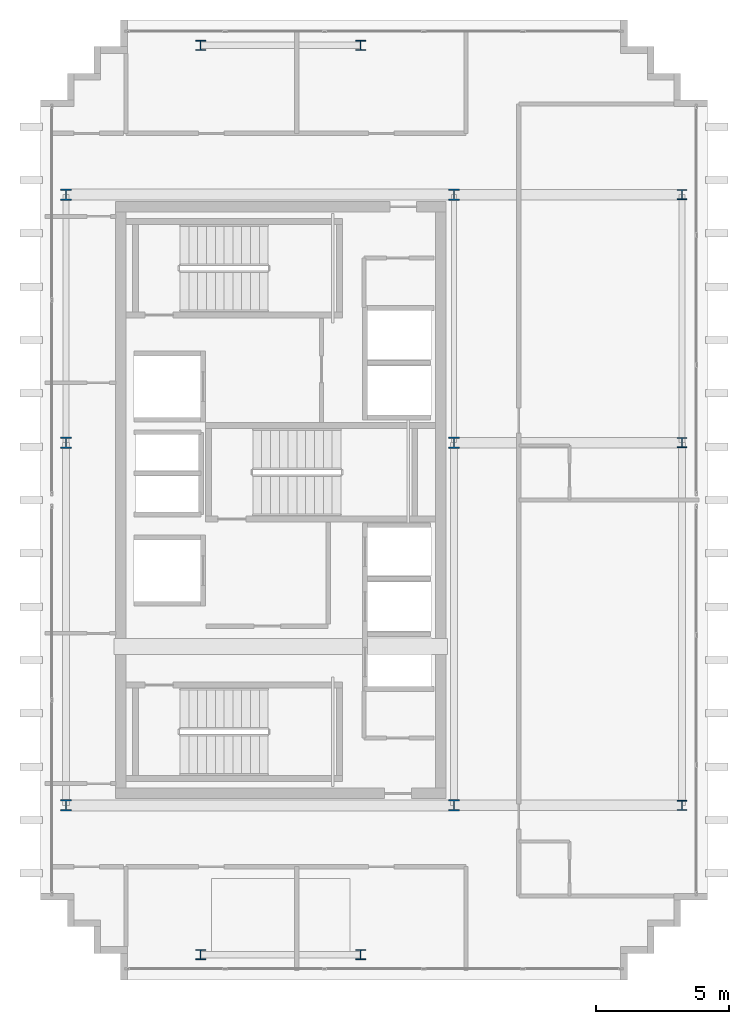
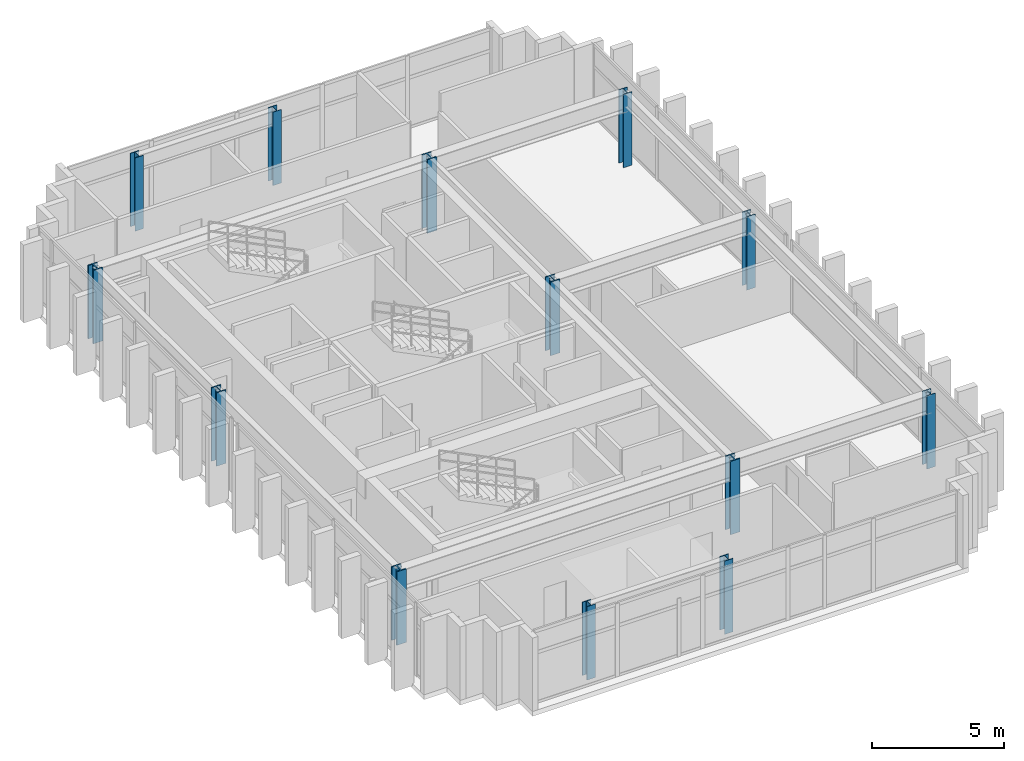
# One storey, part 1 of 15: 13 columns.
"""IFC4 building model written with IfcOpenShell, lengths in metres."""

from ifc_helpers import new_model, si_unit, direction, frame, origin, origin_2d, place, context, subcontext, project, spatial, i_section, extrude, source, transform, mapped, material, material_profile, profile_set, type_object, element, save


model = new_model("IFC4")

# Units and contexts
model_context = context("Model", 3, precision=1e-05, world=origin(), true_north=direction((0.0, 1.0)))
body_context = subcontext(model_context, "Body", "Model", "MODEL_VIEW")
ifc_project = project(units=[si_unit("LENGTHUNIT", "METRE"), si_unit("AREAUNIT", "SQUARE_METRE"), si_unit("VOLUMEUNIT", "CUBIC_METRE"), si_unit("PLANEANGLEUNIT", "RADIAN"), si_unit("MASSUNIT", "GRAM", prefix="KILO")], contexts=[model_context])

# Site, building, storey
site_placement = place(None, origin())
site = spatial("IfcSite", under=ifc_project, at=site_placement, CompositionType="ELEMENT")
building_placement = place(site_placement, origin())
building = spatial("IfcBuilding", under=site, at=building_placement, Name="Ocotamira Hotel", CompositionType="ELEMENT")
storey_placement = place(building_placement, frame((0.0, 0.0, 294.0)))
storey = spatial("IfcBuildingStorey", under=building, at=storey_placement, Name="L75", CompositionType="ELEMENT", Elevation=294.0)

# Columns
ifc_material_1 = material(Name="Steel ASTM A913 Grade 65", Category="steel")
ifc_material_profile_1 = material_profile(ifc_material_1, i_section(OverallWidth=0.412109375, OverallDepth=0.43505859375, WebThickness=0.035888671875, FlangeThickness=0.057373046875, FilletRadius=0.02490234375, at=origin_2d()), Name="W14X311")
ifc_profile_set_1 = profile_set([ifc_material_profile_1], Name="Steel ASTM A913 Grade 65")
column_type_1 = type_object("IfcColumnType", Name="COL-W14X311", PredefinedType="COLUMN", material=ifc_profile_set_1)
shared_shape_1 = source(origin(), body_context, "Body", "SweptSolid", [
    extrude(i_section(OverallWidth=0.412109375, OverallDepth=0.43505859375, WebThickness=0.035888671875, FlangeThickness=0.057373046875, FilletRadius=0.02490234375, at=origin_2d()), origin(), (0.0, 0.0, 1.0), 3.3798828125),
])
for number, where, z_axis, x_axis, name in (
    (1, (8.949951171875, 14.550048828125, 0.0), (0.0, 0.0, 1.0), (1.0, 0.0, 0.0), "L75 Column TW8_14"),
    (2, (23.5, 14.550048828125, 0.0), (0.0, 0.0, 1.0), (1.0, 0.0, 0.0), "L75 Column TW23_14"),
    (3, (8.949951171875, 28.14990234375, 0.0), (0.0, 0.0, 1.0), (1.0, 0.0, 0.0), "L75 Column TW8_28"),
    (4, (23.5, 28.14990234375, 0.0), (0.0, 0.0, 1.0), (1.0, 0.0, 0.0), "L75 Column TW23_28"),
    (5, (8.949951171875, 37.449951171875, 0.0), (0.0, 0.0, 1.0), (1.0, 0.0, 0.0), "L75 Column TW8_37"),
    (6, (23.5, 37.449951171875, 0.0), (0.0, 0.0, 1.0), (1.0, 0.0, 0.0), "L75 Column TW23_37"),
):
    element("IfcColumn", number, at=place(storey_placement, frame(where, z_axis=z_axis, x_axis=x_axis)), inside=storey, type_object=column_type_1, Name=name, PredefinedType="COLUMN", context=body_context, shape_type="MappedRepresentation", body=[
        mapped(shared_shape_1, transform((0.0, 0.0, 0.0), scale=1.0)),
    ])
ifc_material_2 = material(Name="Steel ASTM A992 Grade 50", Category="steel")
ifc_material_profile_2 = material_profile(ifc_material_2, i_section(OverallWidth=0.3740234375, OverallDepth=0.373046875, WebThickness=0.016357421875, FlangeThickness=0.026123046875, FilletRadius=0.02490234375, at=origin_2d()), Name="W14X132")
ifc_profile_set_2 = profile_set([ifc_material_profile_2], Name="Steel ASTM A992 Grade 50")
column_type_2 = type_object("IfcColumnType", Name="COL-W14X132", PredefinedType="COLUMN", material=ifc_profile_set_2)
shared_shape_2 = source(origin(), body_context, "Body", "SweptSolid", [
    extrude(i_section(OverallWidth=0.3740234375, OverallDepth=0.373046875, WebThickness=0.016357421875, FlangeThickness=0.026123046875, FilletRadius=0.02490234375, at=origin_2d()), origin(), (0.0, 0.0, 1.0), 3.3798828125),
])
for number, where, z_axis, x_axis, name in (
    (7, (14.0, 8.949951171875, 0.0), (0.0, 0.0, 1.0), (1.0, 0.0, 0.0), "L75 Column NSP1_14"),
    (8, (20.0, 8.949951171875, 0.0), (0.0, 0.0, 1.0), (1.0, 0.0, 0.0), "L75 Column NSP1_20"),
    (9, (14.0, 43.050048828125, 0.0), (0.0, 0.0, 1.0), (1.0, 0.0, 0.0), "L75 Column NSP2_14"),
    (10, (20.0, 43.050048828125, 0.0), (0.0, 0.0, 1.0), (1.0, 0.0, 0.0), "L75 Column NSP2_20"),
    (11, (32.050048828125, 14.550048828125, 0.0), (0.0, 0.0, 1.0), (1.0, 0.0, 0.0), "L75 Column WPE32_14"),
    (12, (32.050048828125, 28.14990234375, 0.0), (0.0, 0.0, 1.0), (1.0, 0.0, 0.0), "L75 Column WPE32_28"),
    (13, (32.050048828125, 37.449951171875, 0.0), (0.0, 0.0, 1.0), (1.0, 0.0, 0.0), "L75 Column WPE32_37"),
):
    element("IfcColumn", number, at=place(storey_placement, frame(where, z_axis=z_axis, x_axis=x_axis)), inside=storey, type_object=column_type_2, Name=name, PredefinedType="COLUMN", context=body_context, shape_type="MappedRepresentation", body=[
        mapped(shared_shape_2, transform((0.0, 0.0, 0.0), scale=1.0)),
    ])

save(model, "model.ifc")
